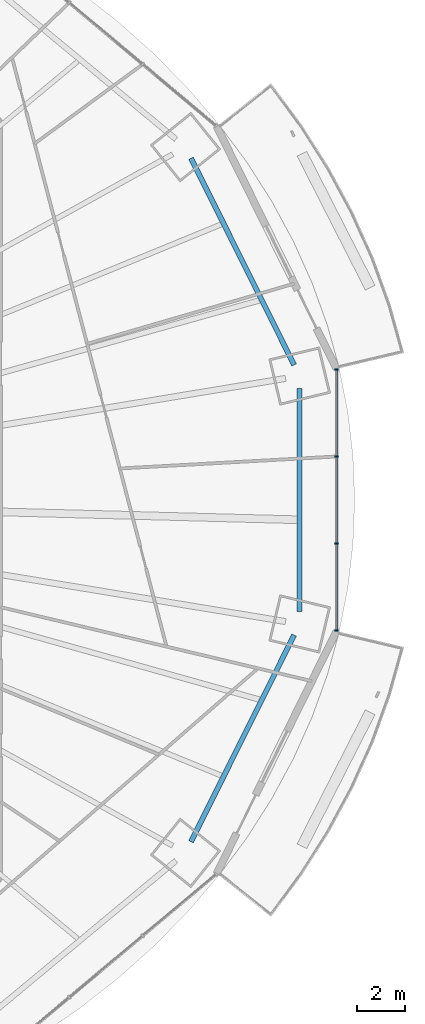
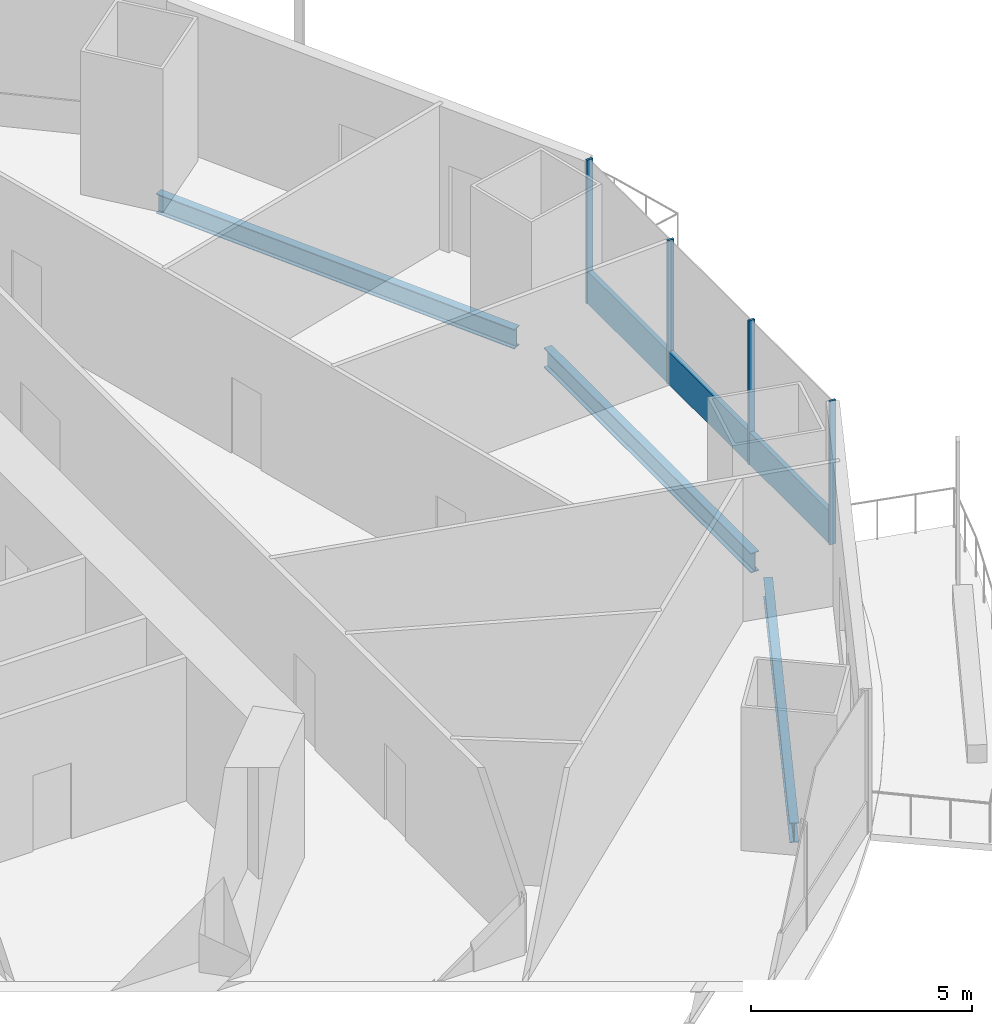
# One storey, part 11 of 21: 5 members, 3 beams, 1 element without a shape of its own.
"""IFC4 building model written with IfcOpenShell, lengths in metres."""

from ifc_helpers import new_model, si_unit, direction, frame, origin, origin_2d, place, context, subcontext, project, spatial, rectangle, i_section, extrude, material, material_profile, profile_set, type_object, element, aggregate, save


model = new_model("IFC4")

# Units and contexts
model_context = context("Model", 3, precision=1e-05, world=origin(), true_north=direction((0.0, 1.0)))
body_context = subcontext(model_context, "Body", "Model", "MODEL_VIEW")
ifc_project = project(units=[si_unit("LENGTHUNIT", "METRE"), si_unit("AREAUNIT", "SQUARE_METRE"), si_unit("VOLUMEUNIT", "CUBIC_METRE"), si_unit("PLANEANGLEUNIT", "RADIAN"), si_unit("MASSUNIT", "GRAM", prefix="KILO")], contexts=[model_context])

# Site, building, storey
site_placement = place(None, origin())
site = spatial("IfcSite", under=ifc_project, at=site_placement, CompositionType="ELEMENT")
building_placement = place(site_placement, origin())
building = spatial("IfcBuilding", under=site, at=building_placement, Name="Marenthal Gate Tower", CompositionType="ELEMENT")
storey_placement = place(building_placement, frame((0.0, 0.0, 120.14990234375)))
storey = spatial("IfcBuildingStorey", under=building, at=storey_placement, Name="L25", CompositionType="ELEMENT", Elevation=120.14990234375)

# Curtain wall, members
ifc_material_1 = material(Name="Aluminium and glass", Category="aluminium")
curtain_wall_type = type_object("IfcCurtainWallType", Name="Curtain wall typical low", PredefinedType="NOTDEFINED", material=ifc_material_1)
curtain_wall_placement = place(storey_placement, origin())
curtain_wall = element("IfcCurtainWall", 1, at=curtain_wall_placement, inside=storey, type_object=curtain_wall_type, Name="Curtain wall L25 bay 16", PredefinedType="NOTDEFINED")
ifc_material_2 = material(Name="Aluminium", Category="aluminium")
ifc_material_profile_1 = material_profile(ifc_material_2, rectangle(XDim=0.159912109375, YDim=0.06005859375, at=origin_2d()), Name="60x160 aluminium mullion")
ifc_profile_set_1 = profile_set([ifc_material_profile_1], Name="Aluminium")
member_type_1 = type_object("IfcMemberType", Name="Mullion 60x160 typical low", PredefinedType="MULLION", material=ifc_profile_set_1)
member_1_placement = place(storey_placement, frame((33.134765625, -5.495361328125, 0.0), z_axis=(0.0, 0.0, 1.0), x_axis=(-1.0, 0.0, 0.0)))
member_1 = element("IfcMember", 2, at=member_1_placement, type_object=member_type_1, Name="Mullion L25 bay 16.1", PredefinedType="MULLION", context=body_context, shape_type="SweptSolid", body=[
    extrude(rectangle(XDim=0.159912109375, YDim=0.06005859375, at=origin_2d()), origin(), (0.0, 0.0, 1.0), 3.97021484375),
])
member_2_placement = place(storey_placement, frame((33.134765625, -1.831787109375, 0.0), z_axis=(0.0, 0.0, 1.0), x_axis=(-1.0, 0.0, 0.0)))
member_2 = element("IfcMember", 3, at=member_2_placement, type_object=member_type_1, Name="Mullion L25 bay 16.2", PredefinedType="MULLION", context=body_context, shape_type="SweptSolid", body=[
    extrude(rectangle(XDim=0.159912109375, YDim=0.06005859375, at=origin_2d()), origin(), (0.0, 0.0, 1.0), 3.97021484375),
])
member_3_placement = place(storey_placement, frame((33.134765625, 1.831787109375, 0.0), z_axis=(0.0, 0.0, 1.0), x_axis=(-1.0, 0.0, 0.0)))
member_3 = element("IfcMember", 4, at=member_3_placement, type_object=member_type_1, Name="Mullion L25 bay 16.3", PredefinedType="MULLION", context=body_context, shape_type="SweptSolid", body=[
    extrude(rectangle(XDim=0.159912109375, YDim=0.06005859375, at=origin_2d()), origin(), (0.0, 0.0, 1.0), 3.97021484375),
])
member_4_placement = place(storey_placement, frame((33.134765625, 5.495361328125, 0.0), z_axis=(0.0, 0.0, 1.0), x_axis=(-1.0, 0.0, 0.0)))
member_4 = element("IfcMember", 5, at=member_4_placement, type_object=member_type_1, Name="Mullion L25 bay 16.4", PredefinedType="MULLION", context=body_context, shape_type="SweptSolid", body=[
    extrude(rectangle(XDim=0.159912109375, YDim=0.06005859375, at=origin_2d()), origin(), (0.0, 0.0, 1.0), 3.97021484375),
])
ifc_material_3 = material(Name="Aluminium", Category="aluminium")
ifc_material_profile_2 = material_profile(ifc_material_3, rectangle(XDim=0.1201171875, YDim=0.89990234375, at=origin_2d()), Name="120x900 aluminium transom")
ifc_profile_set_2 = profile_set([ifc_material_profile_2], Name="Aluminium")
member_type_2 = type_object("IfcMemberType", Name="Transom 120x900 typical low", PredefinedType="USERDEFINED", material=ifc_profile_set_2)
member_5_placement = place(storey_placement, frame((33.134765625, -5.46533203125, 0.4501953125), z_axis=(0.0, 1.0, 0.0), x_axis=(-1.0, 0.0, 0.0)))
member_5 = element("IfcMember", 6, at=member_5_placement, type_object=member_type_2, Name="Transom L25 bay 16", ObjectType="TRANSOM", PredefinedType="USERDEFINED", context=body_context, shape_type="SweptSolid", body=[
    extrude(rectangle(XDim=0.1201171875, YDim=0.89990234375, at=origin_2d()), origin(), (0.0, 0.0, 1.0), 10.9306640625),
])
aggregate(curtain_wall, [member_1, member_2, member_3, member_4, member_5])

# Beams
ifc_material_4 = material(Name="Steel S355", Category="steel")
ifc_material_profile_3 = material_profile(ifc_material_4, i_section(OverallWidth=0.2119140625, OverallDepth=0.5439453125, WebThickness=0.01318359375, FlangeThickness=0.021240234375, FilletRadius=0.0126953125, at=origin_2d()), Name="W530X123")
ifc_profile_set_3 = profile_set([ifc_material_profile_3], Name="Steel S355")
beam_type = type_object("IfcBeamType", Name="W530X123 beam", PredefinedType="BEAM", material=ifc_profile_set_3)
for number, where, z_axis, x_axis, name in (
    (7, (31.35009765625, 5.688232421875, -0.451904296875), (-0.446359643577, 0.894853657637, 0.0), (-0.894853657637, -0.446359643577, 0.0), "BM-L25-41"),
    (8, (27.01025390625, -14.388671875, -0.451904296875), (0.446359643577, 0.894853657637, 0.0), (-0.894853657637, 0.446359643577, 0.0), "BM-L25-55"),
):
    element("IfcBeam", number, at=place(storey_placement, frame(where, z_axis=z_axis, x_axis=x_axis)), inside=storey, type_object=beam_type, Name=name, PredefinedType="BEAM", context=body_context, shape_type="SweptSolid", body=[
        extrude(i_section(OverallWidth=0.2119140625, OverallDepth=0.5439453125, WebThickness=0.01318359375, FlangeThickness=0.021240234375, FilletRadius=0.0126953125, at=origin_2d()), origin(), (0.0, 0.0, 1.0), 9.72265625),
    ])
beam_placement = place(storey_placement, frame((31.585205078125, -4.688720703125, -0.451904296875), z_axis=(0.0, 1.0, 0.0), x_axis=(-1.0, 0.0, 0.0)))
element("IfcBeam", 9, at=beam_placement, inside=storey, type_object=beam_type, Name="BM-L25-56", PredefinedType="BEAM", context=body_context, shape_type="SweptSolid", body=[
    extrude(i_section(OverallWidth=0.2119140625, OverallDepth=0.5439453125, WebThickness=0.01318359375, FlangeThickness=0.021240234375, FilletRadius=0.0126953125, at=origin_2d()), origin(), (0.0, 0.0, 1.0), 9.37744140625),
])

save(model, "model.ifc")
